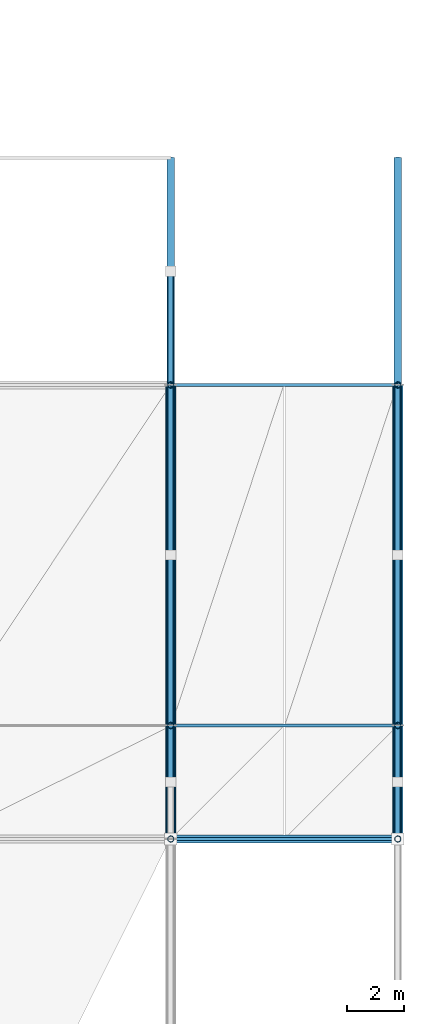
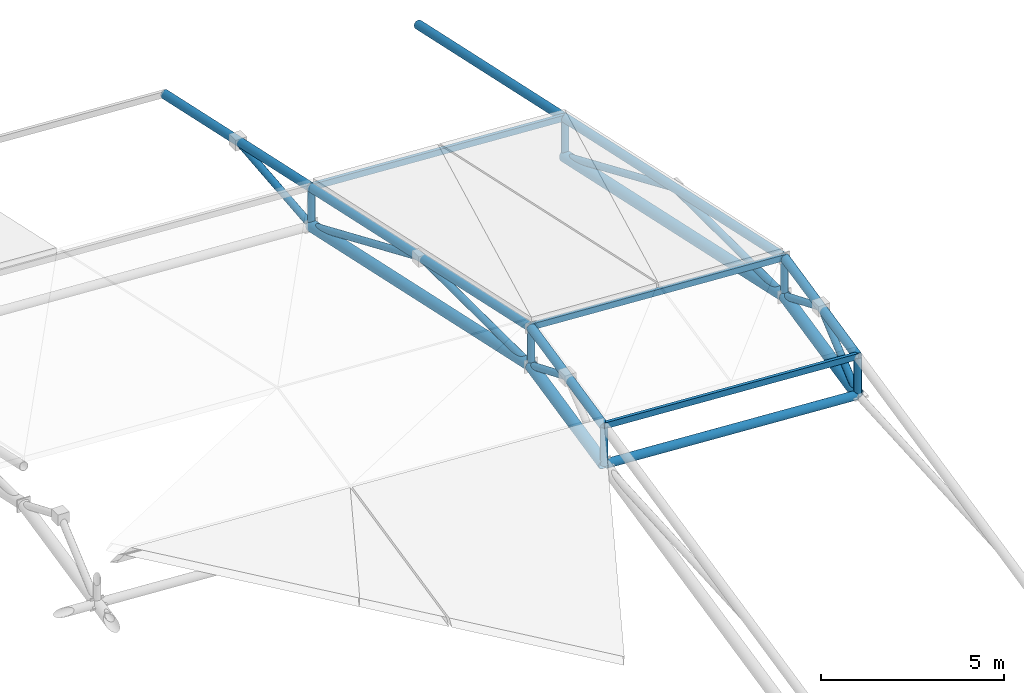
# One storey, part 32 of 67: 23 members, 5 beams.
"""IFC4 building model written with IfcOpenShell, lengths in metres."""

from ifc_helpers import new_model, si_unit, direction, frame, origin, origin_2d, place, context, subcontext, project, spatial, hollow_rectangle, hollow_circle, extrude, material, material_profile, profile_set, type_object, element, save


model = new_model("IFC4")

# Units and contexts
model_context = context("Model", 3, precision=1e-05, world=origin(), true_north=direction((0.0, 1.0)))
body_context = subcontext(model_context, "Body", "Model", "MODEL_VIEW")
ifc_project = project(units=[si_unit("LENGTHUNIT", "METRE"), si_unit("AREAUNIT", "SQUARE_METRE"), si_unit("VOLUMEUNIT", "CUBIC_METRE"), si_unit("PLANEANGLEUNIT", "RADIAN"), si_unit("MASSUNIT", "GRAM", prefix="KILO")], contexts=[model_context])

# Site, building, storey
site_placement = place(None, origin())
site = spatial("IfcSite", under=ifc_project, at=site_placement, CompositionType="ELEMENT")
building_placement = place(site_placement, origin())
building = spatial("IfcBuilding", under=site, at=building_placement, Name="Drelvath Fold Interchange", CompositionType="ELEMENT")
storey_placement = place(building_placement, frame((0.0, 0.0, 15.60009765625)))
storey = spatial("IfcBuildingStorey", under=building, at=storey_placement, Name="L03", CompositionType="ELEMENT", Elevation=15.60009765625)

# Members
ifc_material = material(Name="Steel ASTM A500 Grade C", Category="steel")
ifc_material_profile_1 = material_profile(ifc_material, hollow_rectangle(XDim=0.10205078125, YDim=0.202880859375, WallThickness=0.00732421875, at=origin_2d()), Name="HSS8X4X5/16")
ifc_profile_set_1 = profile_set([ifc_material_profile_1], Name="Steel ASTM A500 Grade C")
member_type_1 = type_object("IfcMemberType", Name="PR-HSS203", PredefinedType="PURLIN", material=ifc_profile_set_1)
for number, where, z_axis, x_axis, name in (
    (1, (166.0, 43.0, 3.039794921875), (0.998197699277, 0.0, -0.060011275256), (0.0, 1.0, 0.0), "L03 Space frame canopy purlin PR-HSS203"),
    (2, (166.0, 47.0, 3.911865234375), (0.998197699277, 0.0, -0.060011275256), (0.0, 1.0, 0.0), "L03 Space frame canopy purlin PR-HSS203"),
    (3, (166.0, 59.0, 1.2958984375), (0.998197699277, 0.0, -0.060011275256), (0.0, 1.0, 0.0), "L03 Space frame canopy purlin PR-HSS203"),
):
    element("IfcMember", number, at=place(storey_placement, frame(where, z_axis=z_axis, x_axis=x_axis)), inside=storey, type_object=member_type_1, Name=name, PredefinedType="PURLIN", context=body_context, shape_type="SweptSolid", body=[
        extrude(hollow_rectangle(XDim=0.10205078125, YDim=0.202880859375, WallThickness=0.00732421875, at=origin_2d()), origin(), (0.0, 0.0, 1.0), 8.014404296875),
    ])
ifc_material_profile_2 = material_profile(ifc_material, hollow_circle(Radius=0.136474609375, WallThickness=0.01171875, at=origin_2d()), Name="HSS10.750X0.500")
ifc_profile_set_2 = profile_set([ifc_material_profile_2], Name="Steel ASTM A500 Grade C")
member_type_2 = type_object("IfcMemberType", Name="SF-CHD273", PredefinedType="CHORD", material=ifc_profile_set_2)
member_1_placement = place(storey_placement, frame((166.0, 43.0, 3.0078125), z_axis=(0.0, 0.97704917023, 0.213013893803), x_axis=(-1.0, 0.0, 0.0)))
element("IfcMember", 4, at=member_1_placement, inside=storey, type_object=member_type_2, Name="L03 Space frame roof truss upper chord SF-CHD273", PredefinedType="CHORD", context=body_context, shape_type="SweptSolid", body=[
    extrude(hollow_circle(Radius=0.136474609375, WallThickness=0.01171875, at=origin_2d()), origin(), (0.0, 0.0, 1.0), 4.093994140625),
])
member_2_placement = place(storey_placement, frame((166.0, 47.0, 3.8798828125), z_axis=(0.0, 0.977053307197, -0.212994917534), x_axis=(-1.0, 0.0, 0.0)))
element("IfcMember", 5, at=member_2_placement, inside=storey, type_object=member_type_2, Name="L03 Space frame roof truss upper chord SF-CHD273", PredefinedType="CHORD", context=body_context, shape_type="SweptSolid", body=[
    extrude(hollow_circle(Radius=0.136474609375, WallThickness=0.01171875, at=origin_2d()), origin(), (0.0, 0.0, 1.0), 12.28173828125),
])
member_3_placement = place(storey_placement, frame((166.0, 59.0, 1.263916015625), z_axis=(0.0, 0.977055375556, -0.212985429309), x_axis=(-1.0, 0.0, 0.0)))
element("IfcMember", 6, at=member_3_placement, inside=storey, type_object=member_type_2, Name="L03 Space frame roof truss upper chord SF-CHD273", PredefinedType="CHORD", context=body_context, shape_type="SweptSolid", body=[
    extrude(hollow_circle(Radius=0.136474609375, WallThickness=0.01171875, at=origin_2d()), origin(), (0.0, 0.0, 1.0), 8.18798828125),
])
member_4_placement = place(storey_placement, frame((174.0, 43.0, 2.52685546875), z_axis=(0.0, 0.97704917023, 0.213013893803), x_axis=(-1.0, 0.0, 0.0)))
element("IfcMember", 7, at=member_4_placement, inside=storey, type_object=member_type_2, Name="L03 Space frame roof truss upper chord SF-CHD273", PredefinedType="CHORD", context=body_context, shape_type="SweptSolid", body=[
    extrude(hollow_circle(Radius=0.136474609375, WallThickness=0.01171875, at=origin_2d()), origin(), (0.0, 0.0, 1.0), 4.093994140625),
])
member_5_placement = place(storey_placement, frame((174.0, 47.0, 3.39892578125), z_axis=(0.0, 0.977053307197, -0.212994917534), x_axis=(-1.0, 0.0, 0.0)))
element("IfcMember", 8, at=member_5_placement, inside=storey, type_object=member_type_2, Name="L03 Space frame roof truss upper chord SF-CHD273", PredefinedType="CHORD", context=body_context, shape_type="SweptSolid", body=[
    extrude(hollow_circle(Radius=0.136474609375, WallThickness=0.01171875, at=origin_2d()), origin(), (0.0, 0.0, 1.0), 12.28173828125),
])
member_6_placement = place(storey_placement, frame((174.0, 59.0, 0.782958984375), z_axis=(0.0, 0.97704917023, -0.213013893803), x_axis=(-1.0, 0.0, 0.0)))
element("IfcMember", 9, at=member_6_placement, inside=storey, type_object=member_type_2, Name="L03 Space frame roof truss upper chord SF-CHD273", PredefinedType="CHORD", context=body_context, shape_type="SweptSolid", body=[
    extrude(hollow_circle(Radius=0.136474609375, WallThickness=0.01171875, at=origin_2d()), origin(), (0.0, 0.0, 1.0), 8.18798828125),
])

# Beams
ifc_material_profile_3 = material_profile(ifc_material, hollow_circle(Radius=0.177978515625, WallThickness=0.01171875, at=origin_2d()), Name="HSS14.000X0.500")
ifc_profile_set_3 = profile_set([ifc_material_profile_3], Name="Steel ASTM A500 Grade C")
beam_type_1 = type_object("IfcBeamType", Name="SF-RIB356", PredefinedType="BEAM", material=ifc_profile_set_3)
beam_1_placement = place(storey_placement, frame((166.0, 43.0, 1.73779296875), z_axis=(0.0, 0.97704917023, 0.213013893803), x_axis=(-1.0, 0.0, 0.0)))
element("IfcBeam", 10, at=beam_1_placement, inside=storey, type_object=beam_type_1, Name="Space frame roof truss main rib chord EAST", PredefinedType="BEAM", context=body_context, shape_type="SweptSolid", body=[
    extrude(hollow_circle(Radius=0.177978515625, WallThickness=0.01171875, at=origin_2d()), origin(), (0.0, 0.0, 1.0), 4.093994140625),
])
beam_2_placement = place(storey_placement, frame((166.0, 47.0, 2.60986328125), z_axis=(0.0, 0.977053307197, -0.212994917534), x_axis=(-1.0, 0.0, 0.0)))
element("IfcBeam", 11, at=beam_2_placement, inside=storey, type_object=beam_type_1, Name="Space frame roof truss main rib chord EAST", PredefinedType="BEAM", context=body_context, shape_type="SweptSolid", body=[
    extrude(hollow_circle(Radius=0.177978515625, WallThickness=0.01171875, at=origin_2d()), origin(), (0.0, 0.0, 1.0), 12.28173828125),
])
beam_3_placement = place(storey_placement, frame((174.0, 43.0, 1.2568359375), z_axis=(0.0, 0.97704917023, 0.213013893803), x_axis=(-1.0, 0.0, 0.0)))
element("IfcBeam", 12, at=beam_3_placement, inside=storey, type_object=beam_type_1, Name="Space frame roof truss main rib chord EAST", PredefinedType="BEAM", context=body_context, shape_type="SweptSolid", body=[
    extrude(hollow_circle(Radius=0.177978515625, WallThickness=0.01171875, at=origin_2d()), origin(), (0.0, 0.0, 1.0), 4.093994140625),
])
beam_4_placement = place(storey_placement, frame((174.0, 47.0, 2.12890625), z_axis=(0.0, 0.977053307197, -0.212994917534), x_axis=(-1.0, 0.0, 0.0)))
element("IfcBeam", 13, at=beam_4_placement, inside=storey, type_object=beam_type_1, Name="Space frame roof truss main rib chord EAST", PredefinedType="BEAM", context=body_context, shape_type="SweptSolid", body=[
    extrude(hollow_circle(Radius=0.177978515625, WallThickness=0.01171875, at=origin_2d()), origin(), (0.0, 0.0, 1.0), 12.28173828125),
])
ifc_material_profile_4 = material_profile(ifc_material, hollow_circle(Radius=0.136474609375, WallThickness=0.01171875, at=origin_2d()), Name="HSS10.750X0.500")
ifc_profile_set_4 = profile_set([ifc_material_profile_4], Name="Steel ASTM A500 Grade C")
beam_type_2 = type_object("IfcBeamType", Name="SF-TIE273", PredefinedType="BEAM", material=ifc_profile_set_4)
beam_5_placement = place(storey_placement, frame((166.050048828125, 43.0, 1.73779296875), z_axis=(0.998151864272, 0.0, -0.060768872384), x_axis=(0.0, 1.0, 0.0)))
element("IfcBeam", 14, at=beam_5_placement, inside=storey, type_object=beam_type_2, Name="Space frame roof truss longitudinal tie EAST", PredefinedType="BEAM", context=body_context, shape_type="SweptSolid", body=[
    extrude(hollow_circle(Radius=0.136474609375, WallThickness=0.01171875, at=origin_2d()), origin(), (0.0, 0.0, 1.0), 7.91455078125),
])

# Members
ifc_material_profile_5 = material_profile(ifc_material, hollow_circle(Radius=0.109619140625, WallThickness=0.0087890625, at=origin_2d()), Name="HSS8.625X0.375")
ifc_profile_set_5 = profile_set([ifc_material_profile_5], Name="Steel ASTM A500 Grade C")
member_type_3 = type_object("IfcMemberType", Name="SF-WEB219", PredefinedType="BRACE", material=ifc_profile_set_5)
member_7_placement = place(storey_placement, frame((166.0, 45.0, 3.44384765625), z_axis=(0.0, 0.922970220346, -0.38487137118), x_axis=(-1.0, 0.0, 0.0)))
element("IfcMember", 15, at=member_7_placement, inside=storey, type_object=member_type_3, Name="L03 Space frame roof truss web brace SF-WEB219", PredefinedType="BRACE", context=body_context, shape_type="SweptSolid", body=[
    extrude(hollow_circle(Radius=0.109619140625, WallThickness=0.0087890625, at=origin_2d()), origin(), (0.0, 0.0, 1.0), 2.1669921875),
])
member_8_placement = place(storey_placement, frame((166.0, 47.0, 2.60986328125), z_axis=(0.0, 0.999980111682, -0.006306840711), x_axis=(-1.0, 0.0, 0.0)))
element("IfcMember", 16, at=member_8_placement, inside=storey, type_object=member_type_3, Name="L03 Space frame roof truss web brace SF-WEB219", PredefinedType="BRACE", context=body_context, shape_type="SweptSolid", body=[
    extrude(hollow_circle(Radius=0.109619140625, WallThickness=0.0087890625, at=origin_2d()), origin(), (0.0, 0.0, 1.0), 6.0),
])
member_9_placement = place(storey_placement, frame((166.0, 53.0, 2.572021484375), z_axis=(0.0, 0.918773350213, -0.394785423919), x_axis=(-1.0, 0.0, 0.0)))
element("IfcMember", 17, at=member_9_placement, inside=storey, type_object=member_type_3, Name="L03 Space frame roof truss web brace SF-WEB219", PredefinedType="BRACE", context=body_context, shape_type="SweptSolid", body=[
    extrude(hollow_circle(Radius=0.109619140625, WallThickness=0.0087890625, at=origin_2d()), origin(), (0.0, 0.0, 1.0), 6.530517578125),
])
member_10_placement = place(storey_placement, frame((166.0, 59.0, -0.006103515625), z_axis=(0.0, 0.995087574546, 0.09899858072), x_axis=(-1.0, 0.0, 0.0)))
element("IfcMember", 18, at=member_10_placement, inside=storey, type_object=member_type_3, Name="L03 Space frame roof truss web brace SF-WEB219", PredefinedType="BRACE", context=body_context, shape_type="SweptSolid", body=[
    extrude(hollow_circle(Radius=0.109619140625, WallThickness=0.0087890625, at=origin_2d()), origin(), (0.0, 0.0, 1.0), 4.019775390625),
])
for number, where, z_axis, x_axis, name in (
    (19, (166.0, 43.0, 1.73779296875), (0.0, 0.0, 1.0), (1.0, 0.0, 0.0), "L03 Space frame roof truss web brace SF-WEB219"),
    (20, (166.0, 47.0, 2.60986328125), (0.0, 0.0, 1.0), (1.0, 0.0, 0.0), "L03 Space frame roof truss web brace SF-WEB219"),
    (21, (166.0, 59.0, -0.006103515625), (0.0, 0.0, 1.0), (1.0, 0.0, 0.0), "L03 Space frame roof truss web brace SF-WEB219"),
):
    element("IfcMember", number, at=place(storey_placement, frame(where, z_axis=z_axis, x_axis=x_axis)), inside=storey, type_object=member_type_3, Name=name, PredefinedType="BRACE", context=body_context, shape_type="SweptSolid", body=[
        extrude(hollow_circle(Radius=0.109619140625, WallThickness=0.0087890625, at=origin_2d()), origin(), (0.0, 0.0, 1.0), 1.27001953125),
    ])
member_11_placement = place(storey_placement, frame((174.0, 43.0, 1.2568359375), z_axis=(0.0, 0.760801583253, 0.648984553683), x_axis=(-1.0, 0.0, 0.0)))
element("IfcMember", 22, at=member_11_placement, inside=storey, type_object=member_type_3, Name="L03 Space frame roof truss web brace SF-WEB219", PredefinedType="BRACE", context=body_context, shape_type="SweptSolid", body=[
    extrude(hollow_circle(Radius=0.109619140625, WallThickness=0.0087890625, at=origin_2d()), origin(), (0.0, 0.0, 1.0), 2.62890625),
])
member_12_placement = place(storey_placement, frame((174.0, 45.0, 2.962890625), z_axis=(0.0, 0.922970220346, -0.38487137118), x_axis=(-1.0, 0.0, 0.0)))
element("IfcMember", 23, at=member_12_placement, inside=storey, type_object=member_type_3, Name="L03 Space frame roof truss web brace SF-WEB219", PredefinedType="BRACE", context=body_context, shape_type="SweptSolid", body=[
    extrude(hollow_circle(Radius=0.109619140625, WallThickness=0.0087890625, at=origin_2d()), origin(), (0.0, 0.0, 1.0), 2.1669921875),
])
member_13_placement = place(storey_placement, frame((174.0, 47.0, 2.12890625), z_axis=(0.0, 0.999979854239, -0.006347528372), x_axis=(-1.0, 0.0, 0.0)))
element("IfcMember", 24, at=member_13_placement, inside=storey, type_object=member_type_3, Name="L03 Space frame roof truss web brace SF-WEB219", PredefinedType="BRACE", context=body_context, shape_type="SweptSolid", body=[
    extrude(hollow_circle(Radius=0.109619140625, WallThickness=0.0087890625, at=origin_2d()), origin(), (0.0, 0.0, 1.0), 6.0),
])
member_14_placement = place(storey_placement, frame((174.0, 53.0, 2.0908203125), z_axis=(0.0, 0.918786910089, -0.394753864894), x_axis=(-1.0, 0.0, 0.0)))
element("IfcMember", 25, at=member_14_placement, inside=storey, type_object=member_type_3, Name="L03 Space frame roof truss web brace SF-WEB219", PredefinedType="BRACE", context=body_context, shape_type="SweptSolid", body=[
    extrude(hollow_circle(Radius=0.109619140625, WallThickness=0.0087890625, at=origin_2d()), origin(), (0.0, 0.0, 1.0), 6.5302734375),
])
for number, where, z_axis, x_axis, name in (
    (26, (174.0, 43.0, 1.2568359375), (0.0, 0.0, 1.0), (1.0, 0.0, 0.0), "L03 Space frame roof truss web brace SF-WEB219"),
    (27, (174.0, 47.0, 2.12890625), (0.0, 0.0, 1.0), (1.0, 0.0, 0.0), "L03 Space frame roof truss web brace SF-WEB219"),
    (28, (174.0, 59.0, -0.487060546875), (0.0, 0.0, 1.0), (1.0, 0.0, 0.0), "L03 Space frame roof truss web brace SF-WEB219"),
):
    element("IfcMember", number, at=place(storey_placement, frame(where, z_axis=z_axis, x_axis=x_axis)), inside=storey, type_object=member_type_3, Name=name, PredefinedType="BRACE", context=body_context, shape_type="SweptSolid", body=[
        extrude(hollow_circle(Radius=0.109619140625, WallThickness=0.0087890625, at=origin_2d()), origin(), (0.0, 0.0, 1.0), 1.27001953125),
    ])

save(model, "model.ifc")
